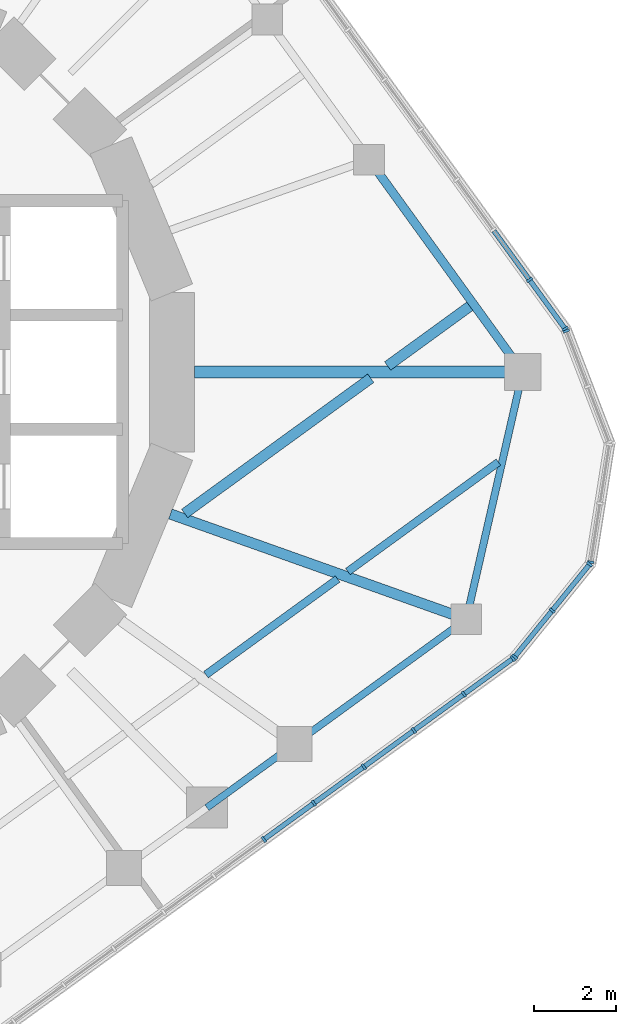
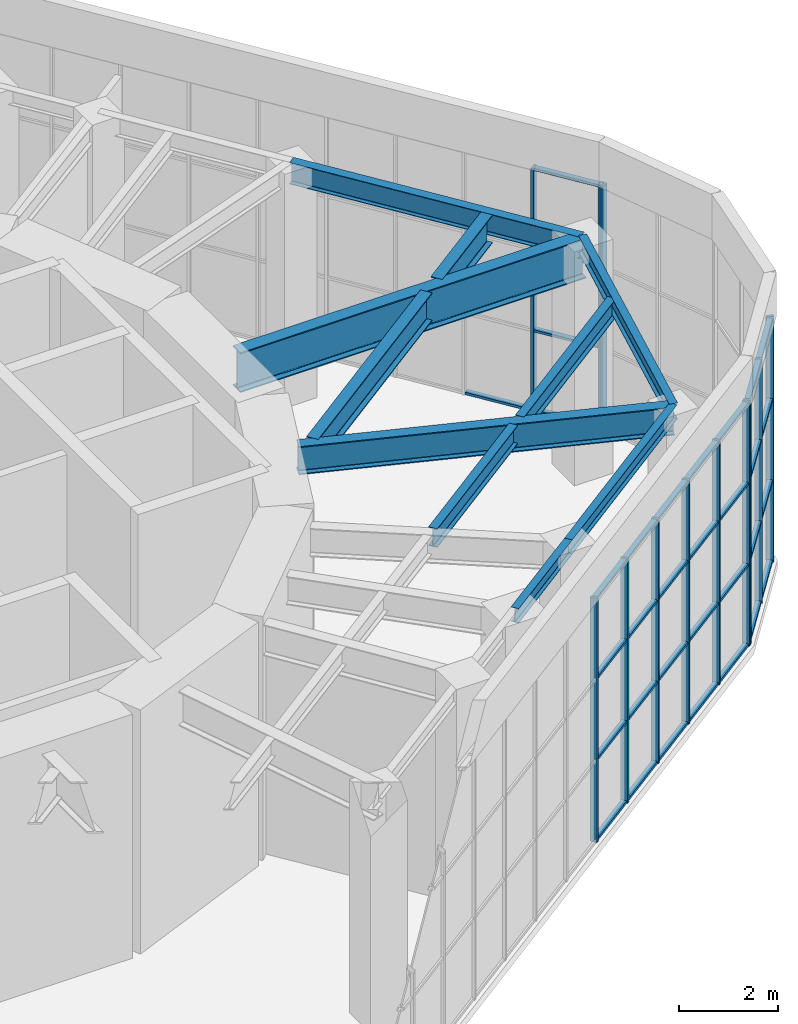
# One storey, part 7 of 17: 46 members, 10 beams, 5 elements without a shape of their own.
"""IFC4 building model written with IfcOpenShell, lengths in metres."""

from ifc_helpers import new_model, si_unit, direction, frame, origin, origin_2d, place, context, subcontext, project, spatial, rectangle, i_section, extrude, material, material_profile, profile_set, type_object, element, aggregate, save


model = new_model("IFC4")

# Units and contexts
model_context = context("Model", 3, precision=1e-05, world=origin(), true_north=direction((0.0, 1.0)))
body_context = subcontext(model_context, "Body", "Model", "MODEL_VIEW")
ifc_project = project(units=[si_unit("LENGTHUNIT", "METRE"), si_unit("AREAUNIT", "SQUARE_METRE"), si_unit("VOLUMEUNIT", "CUBIC_METRE"), si_unit("PLANEANGLEUNIT", "RADIAN"), si_unit("MASSUNIT", "GRAM", prefix="KILO")], contexts=[model_context])

# Site, building, storey
site_placement = place(None, origin())
site = spatial("IfcSite", under=ifc_project, at=site_placement, CompositionType="ELEMENT")
building_placement = place(site_placement, origin())
building = spatial("IfcBuilding", under=site, at=building_placement, Name="Nakasero Lantern House", CompositionType="ELEMENT")
storey_placement = place(building_placement, frame((0.0, 0.0, 304.39990234375)))
storey = spatial("IfcBuildingStorey", under=building, at=storey_placement, Name="L74", CompositionType="ELEMENT", Elevation=304.39990234375)

# Beams
ifc_material_1 = material(Name="Steel S355", Category="steel")
ifc_material_profile_1 = material_profile(ifc_material_1, i_section(OverallWidth=0.19140625, OverallDepth=0.4599609375, WebThickness=0.010009765625, FlangeThickness=0.01611328125, FilletRadius=0.01025390625, at=origin_2d()), Name="UB 457x191x82")
ifc_profile_set_1 = profile_set([ifc_material_profile_1], Name="Steel S355")
beam_type_1 = type_object("IfcBeamType", Name="Infill beam UB 457x191x82", PredefinedType="JOIST", material=ifc_profile_set_1)
beam_1_placement = place(storey_placement, frame((10.6416015625, -7.410400390625, 5.52001953125), z_axis=(0.809003397201, 0.587803966742, 0.0), x_axis=(-0.587803966742, 0.809003397201, 0.0)))
element("IfcBeam", 1, at=beam_1_placement, inside=storey, type_object=beam_type_1, Name="Infill beam ROOF 03.6", PredefinedType="JOIST", context=body_context, shape_type="SweptSolid", body=[
    extrude(i_section(OverallWidth=0.19140625, OverallDepth=0.4599609375, WebThickness=0.010009765625, FlangeThickness=0.01611328125, FilletRadius=0.01025390625, at=origin_2d()), origin(), (0.0, 0.0, 1.0), 3.98779296875),
])
beam_2_placement = place(storey_placement, frame((14.118408203125, -4.88427734375, 5.52001953125), z_axis=(0.809009310944, 0.587795827483, 0.0), x_axis=(-0.587795827483, 0.809009310944, 0.0)))
element("IfcBeam", 2, at=beam_2_placement, inside=storey, type_object=beam_type_1, Name="Infill beam ROOF 03.7", PredefinedType="JOIST", context=body_context, shape_type="SweptSolid", body=[
    extrude(i_section(OverallWidth=0.19140625, OverallDepth=0.4599609375, WebThickness=0.010009765625, FlangeThickness=0.01611328125, FilletRadius=0.01025390625, at=origin_2d()), origin(), (0.0, 0.0, 1.0), 4.55810546875),
])
ifc_material_2 = material(Name="Steel S355", Category="steel")
ifc_material_profile_2 = material_profile(ifc_material_2, i_section(OverallWidth=0.255859375, OverallDepth=0.69287109375, WebThickness=0.014404296875, FlangeThickness=0.023681640625, FilletRadius=0.01513671875, at=origin_2d()), Name="UB 686x254x170")
ifc_profile_set_2 = profile_set([ifc_material_profile_2], Name="Steel S355")
beam_type_2 = type_object("IfcBeamType", Name="Infill beam UB 686x254x170", PredefinedType="JOIST", material=ifc_profile_set_2)
beam_3_placement = place(storey_placement, frame((10.120361328125, -3.462646484375, 5.403564453125), z_axis=(0.809015104462, 0.587787853526, 0.0), x_axis=(-0.587787853526, 0.809015104462, 0.0)))
element("IfcBeam", 3, at=beam_3_placement, inside=storey, type_object=beam_type_2, Name="Infill beam ROOF 04.3", PredefinedType="JOIST", context=body_context, shape_type="SweptSolid", body=[
    extrude(i_section(OverallWidth=0.255859375, OverallDepth=0.69287109375, WebThickness=0.014404296875, FlangeThickness=0.023681640625, FilletRadius=0.01513671875, at=origin_2d()), origin(), (0.0, 0.0, 1.0), 5.635986328125),
])
beam_4_placement = place(storey_placement, frame((15.0927734375, 0.14990234375, 5.403564453125), z_axis=(0.809011863271, 0.587792314586, 0.0), x_axis=(-0.587792314586, 0.809011863271, 0.0)))
element("IfcBeam", 4, at=beam_4_placement, inside=storey, type_object=beam_type_2, Name="Infill beam ROOF 04.4", PredefinedType="JOIST", context=body_context, shape_type="SweptSolid", body=[
    extrude(i_section(OverallWidth=0.255859375, OverallDepth=0.69287109375, WebThickness=0.014404296875, FlangeThickness=0.023681640625, FilletRadius=0.01513671875, at=origin_2d()), origin(), (0.0, 0.0, 1.0), 2.487548828125),
])

# Curtain wall, members
ifc_material_3 = material(Name="Aluminium 6063-T6 and glass", Category="aluminium")
curtain_wall_type = type_object("IfcCurtainWallType", Name="Lantern glazing CW-4", PredefinedType="USERDEFINED", material=ifc_material_3)
curtain_wall_1_placement = place(storey_placement, origin())
curtain_wall_1 = element("IfcCurtainWall", 5, at=curtain_wall_1_placement, inside=storey, type_object=curtain_wall_type, Name="Curtain wall CW-4 L74", ObjectType="UNITISED CURTAIN WALL", PredefinedType="USERDEFINED")
ifc_material_4 = material(Name="Aluminium 6063-T6", Category="aluminium")
ifc_material_profile_3 = material_profile(ifc_material_4, rectangle(XDim=0.06005859375, YDim=0.159912109375, at=origin_2d()), Name="CW-4 mullion 60x160")
ifc_profile_set_3 = profile_set([ifc_material_profile_3], Name="Aluminium 6063-T6")
member_type_1 = type_object("IfcMemberType", Name="Mullion CW-4", PredefinedType="MULLION", material=ifc_profile_set_3)
member_1_placement = place(storey_placement, frame((19.4404296875, 1.05908203125, 0.0), z_axis=(0.0, 0.0, 1.0), x_axis=(-0.587785252292, 0.809016994375, 0.0)))
member_1 = element("IfcMember", 6, at=member_1_placement, type_object=member_type_1, Name="CW-4 mullion 1", PredefinedType="MULLION", context=body_context, shape_type="SweptSolid", body=[
    extrude(rectangle(XDim=0.06005859375, YDim=0.159912109375, at=origin_2d()), origin(), (0.0, 0.0, 1.0), 6.0),
])
member_2_placement = place(storey_placement, frame((18.56787109375, 2.259765625, 0.0), z_axis=(0.0, 0.0, 1.0), x_axis=(-0.587785252292, 0.809016994375, 0.0)))
member_2 = element("IfcMember", 7, at=member_2_placement, type_object=member_type_1, Name="CW-4 mullion 2", PredefinedType="MULLION", context=body_context, shape_type="SweptSolid", body=[
    extrude(rectangle(XDim=0.06005859375, YDim=0.159912109375, at=origin_2d()), origin(), (0.0, 0.0, 1.0), 6.0),
])

curtain_wall_2_placement = place(storey_placement, origin())
curtain_wall_2 = element("IfcCurtainWall", 8, at=curtain_wall_2_placement, inside=storey, type_object=curtain_wall_type, Name="Curtain wall CW-4 L74", ObjectType="UNITISED CURTAIN WALL", PredefinedType="USERDEFINED")
member_3_placement = place(storey_placement, frame((12.060546875, -11.447265625, 0.0), z_axis=(0.0, 0.0, 1.0), x_axis=(0.809016994375, 0.587785252292, 0.0)))
member_3 = element("IfcMember", 9, at=member_3_placement, type_object=member_type_1, Name="CW-4 mullion 10", PredefinedType="MULLION", context=body_context, shape_type="SweptSolid", body=[
    extrude(rectangle(XDim=0.06005859375, YDim=0.159912109375, at=origin_2d()), origin(), (0.0, 0.0, 1.0), 6.0),
])
member_4_placement = place(storey_placement, frame((13.28564453125, -10.55712890625, 0.0), z_axis=(0.0, 0.0, 1.0), x_axis=(0.809016994375, 0.587785252292, 0.0)))
member_4 = element("IfcMember", 10, at=member_4_placement, type_object=member_type_1, Name="CW-4 mullion 11", PredefinedType="MULLION", context=body_context, shape_type="SweptSolid", body=[
    extrude(rectangle(XDim=0.06005859375, YDim=0.159912109375, at=origin_2d()), origin(), (0.0, 0.0, 1.0), 6.0),
])
member_5_placement = place(storey_placement, frame((14.5107421875, -9.667236328125, 0.0), z_axis=(0.0, 0.0, 1.0), x_axis=(0.809016994375, 0.587785252292, 0.0)))
member_5 = element("IfcMember", 11, at=member_5_placement, type_object=member_type_1, Name="CW-4 mullion 12", PredefinedType="MULLION", context=body_context, shape_type="SweptSolid", body=[
    extrude(rectangle(XDim=0.06005859375, YDim=0.159912109375, at=origin_2d()), origin(), (0.0, 0.0, 1.0), 6.0),
])
member_6_placement = place(storey_placement, frame((15.735595703125, -8.777099609375, 0.0), z_axis=(0.0, 0.0, 1.0), x_axis=(0.809016994375, 0.587785252292, 0.0)))
member_6 = element("IfcMember", 12, at=member_6_placement, type_object=member_type_1, Name="CW-4 mullion 13", PredefinedType="MULLION", context=body_context, shape_type="SweptSolid", body=[
    extrude(rectangle(XDim=0.06005859375, YDim=0.159912109375, at=origin_2d()), origin(), (0.0, 0.0, 1.0), 6.0),
])
member_7_placement = place(storey_placement, frame((16.960693359375, -7.886962890625, 0.0), z_axis=(0.0, 0.0, 1.0), x_axis=(0.809016994375, 0.587785252292, 0.0)))
member_7 = element("IfcMember", 13, at=member_7_placement, type_object=member_type_1, Name="CW-4 mullion 14", PredefinedType="MULLION", context=body_context, shape_type="SweptSolid", body=[
    extrude(rectangle(XDim=0.06005859375, YDim=0.159912109375, at=origin_2d()), origin(), (0.0, 0.0, 1.0), 6.0),
])
member_8_placement = place(storey_placement, frame((18.16162109375, -7.0146484375, 0.0), z_axis=(0.0, 0.0, 1.0), x_axis=(0.809016994375, 0.587785252292, 0.0)))
member_8 = element("IfcMember", 14, at=member_8_placement, type_object=member_type_1, Name="CW-4 mullion 15", PredefinedType="MULLION", context=body_context, shape_type="SweptSolid", body=[
    extrude(rectangle(XDim=0.06005859375, YDim=0.159912109375, at=origin_2d()), origin(), (0.0, 0.0, 1.0), 6.0),
])

curtain_wall_3_placement = place(storey_placement, origin())
curtain_wall_3 = element("IfcCurtainWall", 15, at=curtain_wall_3_placement, inside=storey, type_object=curtain_wall_type, Name="Curtain wall CW-4 L74", ObjectType="UNITISED CURTAIN WALL", PredefinedType="USERDEFINED")
member_9_placement = place(storey_placement, frame((18.204833984375, -6.9736328125, 0.0), z_axis=(0.0, 0.0, 1.0), x_axis=(0.62932039105, 0.777145961457, 0.0)))
member_9 = element("IfcMember", 16, at=member_9_placement, type_object=member_type_1, Name="CW-4 mullion 1", PredefinedType="MULLION", context=body_context, shape_type="SweptSolid", body=[
    extrude(rectangle(XDim=0.06005859375, YDim=0.159912109375, at=origin_2d()), origin(), (0.0, 0.0, 1.0), 6.0),
])
member_10_placement = place(storey_placement, frame((19.122314453125, -5.84033203125, 0.0), z_axis=(0.0, 0.0, 1.0), x_axis=(0.62932039105, 0.777145961457, 0.0)))
member_10 = element("IfcMember", 17, at=member_10_placement, type_object=member_type_1, Name="CW-4 mullion 2", PredefinedType="MULLION", context=body_context, shape_type="SweptSolid", body=[
    extrude(rectangle(XDim=0.06005859375, YDim=0.159912109375, at=origin_2d()), origin(), (0.0, 0.0, 1.0), 6.0),
])
member_11_placement = place(storey_placement, frame((20.0400390625, -4.70703125, 0.0), z_axis=(0.0, 0.0, 1.0), x_axis=(0.62932039105, 0.777145961457, 0.0)))
member_11 = element("IfcMember", 18, at=member_11_placement, type_object=member_type_1, Name="CW-4 mullion 3", PredefinedType="MULLION", context=body_context, shape_type="SweptSolid", body=[
    extrude(rectangle(XDim=0.06005859375, YDim=0.159912109375, at=origin_2d()), origin(), (0.0, 0.0, 1.0), 6.0),
])

# Curtain wall, member
curtain_wall_4_placement = place(storey_placement, origin())
curtain_wall_4 = element("IfcCurtainWall", 19, at=curtain_wall_4_placement, inside=storey, type_object=curtain_wall_type, Name="Curtain wall CW-4 L74", ObjectType="UNITISED CURTAIN WALL", PredefinedType="USERDEFINED")
member_12_placement = place(storey_placement, frame((20.063720703125, -4.654052734375, 0.0), z_axis=(0.0, 0.0, 1.0), x_axis=(0.15643446504, 0.987688340595, 0.0)))
member_12 = element("IfcMember", 20, at=member_12_placement, type_object=member_type_1, Name="CW-4 mullion 1", PredefinedType="MULLION", context=body_context, shape_type="SweptSolid", body=[
    extrude(rectangle(XDim=0.06005859375, YDim=0.159912109375, at=origin_2d()), origin(), (0.0, 0.0, 1.0), 6.0),
])
aggregate(curtain_wall_4, [member_12])

curtain_wall_5_placement = place(storey_placement, origin())
curtain_wall_5 = element("IfcCurtainWall", 21, at=curtain_wall_5_placement, inside=storey, type_object=curtain_wall_type, Name="Curtain wall CW-4 L74", ObjectType="UNITISED CURTAIN WALL", PredefinedType="USERDEFINED")
member_13_placement = place(storey_placement, frame((19.46875, 1.006591796875, 0.0), z_axis=(0.0, 0.0, 1.0), x_axis=(-0.358367949545, 0.933580426497, 0.0)))
member_13 = element("IfcMember", 22, at=member_13_placement, type_object=member_type_1, Name="CW-4 mullion 3", PredefinedType="MULLION", context=body_context, shape_type="SweptSolid", body=[
    extrude(rectangle(XDim=0.06005859375, YDim=0.159912109375, at=origin_2d()), origin(), (0.0, 0.0, 1.0), 6.0),
])
aggregate(curtain_wall_5, [member_13])

# Beams
ifc_material_5 = material(Name="Steel S355", Category="steel")
ifc_material_profile_4 = material_profile(ifc_material_5, i_section(OverallWidth=0.300048828125, OverallDepth=0.97998046875, WebThickness=0.0166015625, FlangeThickness=0.02587890625, FilletRadius=0.030029296875, at=origin_2d()), Name="UB 1016x305x249")
ifc_profile_set_4 = profile_set([ifc_material_profile_4], Name="Steel S355")
beam_type_3 = type_object("IfcBeamType", Name="Primary beam UB 1016x305x249, span 6 to 9 m", PredefinedType="BEAM", material=ifc_profile_set_4)
beam_5_placement = place(storey_placement, frame((18.39990234375, 0.0, 5.260009765625), z_axis=(-1.0, 0.0, 0.0), x_axis=(0.0, -1.0, 0.0)))
element("IfcBeam", 23, at=beam_5_placement, inside=storey, type_object=beam_type_3, Name="Primary beam ROOF B7-C03", PredefinedType="BEAM", context=body_context, shape_type="SweptSolid", body=[
    extrude(i_section(OverallWidth=0.300048828125, OverallDepth=0.97998046875, WebThickness=0.0166015625, FlangeThickness=0.02587890625, FilletRadius=0.030029296875, at=origin_2d()), origin(), (0.0, 0.0, 1.0), 8.0419921875),
])
ifc_material_6 = material(Name="Steel S355", Category="steel")
ifc_material_profile_5 = material_profile(ifc_material_6, i_section(OverallWidth=0.255859375, OverallDepth=0.69287109375, WebThickness=0.014404296875, FlangeThickness=0.023681640625, FilletRadius=0.01513671875, at=origin_2d()), Name="UB 686x254x170")
ifc_profile_set_5 = profile_set([ifc_material_profile_5], Name="Steel S355")
beam_type_4 = type_object("IfcBeamType", Name="Primary beam UB 686x254x170, span 6 to 9 m", PredefinedType="BEAM", material=ifc_profile_set_5)
beam_6_placement = place(storey_placement, frame((17.02001953125, -6.051513671875, 5.403564453125), z_axis=(-0.942222036561, 0.334989005521, 0.0), x_axis=(-0.334989005521, -0.942222036561, 0.0)))
element("IfcBeam", 24, at=beam_6_placement, inside=storey, type_object=beam_type_4, Name="Primary beam ROOF B7-C02", PredefinedType="BEAM", context=body_context, shape_type="SweptSolid", body=[
    extrude(i_section(OverallWidth=0.255859375, OverallDepth=0.69287109375, WebThickness=0.014404296875, FlangeThickness=0.023681640625, FilletRadius=0.01513671875, at=origin_2d()), origin(), (0.0, 0.0, 1.0), 7.6923828125),
])
ifc_material_7 = material(Name="Steel S355", Category="steel")
ifc_material_profile_6 = material_profile(ifc_material_7, i_section(OverallWidth=0.17138671875, OverallDepth=0.35498046875, WebThickness=0.00732421875, FlangeThickness=0.011474609375, FilletRadius=0.01025390625, at=origin_2d()), Name="UB 356x171x51")
ifc_profile_set_6 = profile_set([ifc_material_profile_6], Name="Steel S355")
beam_type_5 = type_object("IfcBeamType", Name="Ring beam UB 356x171x51", PredefinedType="BEAM", material=ifc_profile_set_6)
beam_7_placement = place(storey_placement, frame((12.810791015625, -9.10986328125, 5.572509765625), z_axis=(0.809001814948, 0.587806144414, 0.0), x_axis=(-0.587806144414, 0.809001814948, 0.0)))
element("IfcBeam", 25, at=beam_7_placement, inside=storey, type_object=beam_type_5, Name="Ring beam ROOF B7-C01", PredefinedType="BEAM", context=body_context, shape_type="SweptSolid", body=[
    extrude(i_section(OverallWidth=0.17138671875, OverallDepth=0.35498046875, WebThickness=0.00732421875, FlangeThickness=0.011474609375, FilletRadius=0.01025390625, at=origin_2d()), origin(), (0.0, 0.0, 1.0), 5.202880859375),
])
beam_8_placement = place(storey_placement, frame((10.667236328125, -10.667236328125, 5.572509765625), z_axis=(0.809018895839, 0.587782635143, 0.0), x_axis=(-0.587782635143, 0.809018895839, 0.0)))
element("IfcBeam", 26, at=beam_8_placement, inside=storey, type_object=beam_type_5, Name="Ring beam ROOF B7-C24", PredefinedType="BEAM", context=body_context, shape_type="SweptSolid", body=[
    extrude(i_section(OverallWidth=0.17138671875, OverallDepth=0.35498046875, WebThickness=0.00732421875, FlangeThickness=0.011474609375, FilletRadius=0.01025390625, at=origin_2d()), origin(), (0.0, 0.0, 1.0), 2.649658203125),
])
ifc_material_8 = material(Name="Steel S355", Category="steel")
ifc_material_profile_7 = material_profile(ifc_material_8, i_section(OverallWidth=0.177978515625, OverallDepth=0.406494140625, WebThickness=0.0078125, FlangeThickness=0.0126953125, FilletRadius=0.01025390625, at=origin_2d()), Name="UB 406x178x60")
ifc_profile_set_7 = profile_set([ifc_material_profile_7], Name="Steel S355")
beam_type_6 = type_object("IfcBeamType", Name="Ring beam UB 406x178x60", PredefinedType="BEAM", material=ifc_profile_set_7)
beam_9_placement = place(storey_placement, frame((17.02001953125, -6.051513671875, 5.546875), z_axis=(0.222316387753, 0.974974575944, 0.0), x_axis=(-0.974974575944, 0.222316387753, 0.0)))
element("IfcBeam", 27, at=beam_9_placement, inside=storey, type_object=beam_type_6, Name="Ring beam ROOF B7-C02", PredefinedType="BEAM", context=body_context, shape_type="SweptSolid", body=[
    extrude(i_section(OverallWidth=0.177978515625, OverallDepth=0.406494140625, WebThickness=0.0078125, FlangeThickness=0.0126953125, FilletRadius=0.01025390625, at=origin_2d()), origin(), (0.0, 0.0, 1.0), 6.206787109375),
])
ifc_material_9 = material(Name="Steel S355", Category="steel")
ifc_material_profile_8 = material_profile(ifc_material_9, i_section(OverallWidth=0.208740234375, OverallDepth=0.5283203125, WebThickness=0.009521484375, FlangeThickness=0.01318359375, FilletRadius=0.0126953125, at=origin_2d()), Name="UB 533x210x82")
ifc_profile_set_8 = profile_set([ifc_material_profile_8], Name="Steel S355")
beam_type_7 = type_object("IfcBeamType", Name="Ring beam UB 533x210x82", PredefinedType="BEAM", material=ifc_profile_set_8)
beam_10_placement = place(storey_placement, frame((18.39990234375, 0.0, 5.48583984375), z_axis=(-0.58599287996, 0.810316200404, 0.0), x_axis=(-0.810316200404, -0.58599287996, 0.0)))
element("IfcBeam", 28, at=beam_10_placement, inside=storey, type_object=beam_type_7, Name="Ring beam ROOF B7-C03", PredefinedType="BEAM", context=body_context, shape_type="SweptSolid", body=[
    extrude(i_section(OverallWidth=0.208740234375, OverallDepth=0.5283203125, WebThickness=0.009521484375, FlangeThickness=0.01318359375, FilletRadius=0.0126953125, at=origin_2d()), origin(), (0.0, 0.0, 1.0), 6.42236328125),
])

# Member
ifc_material_10 = material(Name="Aluminium 6063-T6", Category="aluminium")
ifc_material_profile_9 = material_profile(ifc_material_10, rectangle(XDim=0.06005859375, YDim=0.1201171875, at=origin_2d()), Name="CW-4 transom 60x120")
ifc_profile_set_9 = profile_set([ifc_material_profile_9], Name="Aluminium 6063-T6")
member_type_2 = type_object("IfcMemberType", Name="Transom CW-4", PredefinedType="USERDEFINED", material=ifc_profile_set_9)
member_14_placement = place(storey_placement, frame((19.422607421875, 1.083251953125, 0.030029296875), z_axis=(-0.587753757296, 0.809039875893, 0.0), x_axis=(0.0, 0.0, 1.0)))
member_14 = element("IfcMember", 29, at=member_14_placement, type_object=member_type_2, Name="CW-4 transom 1.1", ObjectType="TRANSOM", PredefinedType="USERDEFINED", context=body_context, shape_type="SweptSolid", body=[
    extrude(rectangle(XDim=0.06005859375, YDim=0.1201171875, at=origin_2d()), origin(), (0.0, 0.0, 1.0), 1.42431640625),
])

member_15_placement = place(storey_placement, frame((19.422607421875, 1.083251953125, 2.0), z_axis=(-0.587753757296, 0.809039875893, 0.0), x_axis=(0.0, 0.0, 1.0)))
member_15 = element("IfcMember", 30, at=member_15_placement, type_object=member_type_2, Name="CW-4 transom 1.2", ObjectType="TRANSOM", PredefinedType="USERDEFINED", context=body_context, shape_type="SweptSolid", body=[
    extrude(rectangle(XDim=0.06005859375, YDim=0.1201171875, at=origin_2d()), origin(), (0.0, 0.0, 1.0), 1.42431640625),
])

member_16_placement = place(storey_placement, frame((19.422607421875, 1.083251953125, 4.0), z_axis=(-0.587753757296, 0.809039875893, 0.0), x_axis=(0.0, 0.0, 1.0)))
member_16 = element("IfcMember", 31, at=member_16_placement, type_object=member_type_2, Name="CW-4 transom 1.3", ObjectType="TRANSOM", PredefinedType="USERDEFINED", context=body_context, shape_type="SweptSolid", body=[
    extrude(rectangle(XDim=0.06005859375, YDim=0.1201171875, at=origin_2d()), origin(), (0.0, 0.0, 1.0), 1.42431640625),
])

member_17_placement = place(storey_placement, frame((19.422607421875, 1.083251953125, 5.97021484375), z_axis=(-0.587753757296, 0.809039875893, 0.0), x_axis=(0.0, 0.0, 1.0)))
member_17 = element("IfcMember", 32, at=member_17_placement, type_object=member_type_2, Name="CW-4 transom 1.4", ObjectType="TRANSOM", PredefinedType="USERDEFINED", context=body_context, shape_type="SweptSolid", body=[
    extrude(rectangle(XDim=0.06005859375, YDim=0.1201171875, at=origin_2d()), origin(), (0.0, 0.0, 1.0), 1.42431640625),
])

member_18_placement = place(storey_placement, frame((18.55029296875, 2.2841796875, 0.030029296875), z_axis=(-0.587762348068, 0.809033634773, 0.0), x_axis=(0.0, 0.0, 1.0)))
member_18 = element("IfcMember", 33, at=member_18_placement, type_object=member_type_2, Name="CW-4 transom 2.1", ObjectType="TRANSOM", PredefinedType="USERDEFINED", context=body_context, shape_type="SweptSolid", body=[
    extrude(rectangle(XDim=0.06005859375, YDim=0.1201171875, at=origin_2d()), origin(), (0.0, 0.0, 1.0), 1.4541015625),
])

aggregate(curtain_wall_1, [member_1, member_2, member_14, member_15, member_16, member_17, member_18])

member_19_placement = place(storey_placement, frame((12.084716796875, -11.4296875, 0.030029296875), z_axis=(0.809033634773, 0.587762348068, 0.0), x_axis=(0.0, 0.0, 1.0)))
member_19 = element("IfcMember", 34, at=member_19_placement, type_object=member_type_2, Name="CW-4 transom 10.1", ObjectType="TRANSOM", PredefinedType="USERDEFINED", context=body_context, shape_type="SweptSolid", body=[
    extrude(rectangle(XDim=0.06005859375, YDim=0.1201171875, at=origin_2d()), origin(), (0.0, 0.0, 1.0), 1.4541015625),
])

member_20_placement = place(storey_placement, frame((12.084716796875, -11.4296875, 2.0), z_axis=(0.809033634773, 0.587762348068, 0.0), x_axis=(0.0, 0.0, 1.0)))
member_20 = element("IfcMember", 35, at=member_20_placement, type_object=member_type_2, Name="CW-4 transom 10.2", ObjectType="TRANSOM", PredefinedType="USERDEFINED", context=body_context, shape_type="SweptSolid", body=[
    extrude(rectangle(XDim=0.06005859375, YDim=0.1201171875, at=origin_2d()), origin(), (0.0, 0.0, 1.0), 1.4541015625),
])

member_21_placement = place(storey_placement, frame((12.084716796875, -11.4296875, 4.0), z_axis=(0.809033634773, 0.587762348068, 0.0), x_axis=(0.0, 0.0, 1.0)))
member_21 = element("IfcMember", 36, at=member_21_placement, type_object=member_type_2, Name="CW-4 transom 10.3", ObjectType="TRANSOM", PredefinedType="USERDEFINED", context=body_context, shape_type="SweptSolid", body=[
    extrude(rectangle(XDim=0.06005859375, YDim=0.1201171875, at=origin_2d()), origin(), (0.0, 0.0, 1.0), 1.4541015625),
])

member_22_placement = place(storey_placement, frame((12.084716796875, -11.4296875, 5.97021484375), z_axis=(0.809033634773, 0.587762348068, 0.0), x_axis=(0.0, 0.0, 1.0)))
member_22 = element("IfcMember", 37, at=member_22_placement, type_object=member_type_2, Name="CW-4 transom 10.4", ObjectType="TRANSOM", PredefinedType="USERDEFINED", context=body_context, shape_type="SweptSolid", body=[
    extrude(rectangle(XDim=0.06005859375, YDim=0.1201171875, at=origin_2d()), origin(), (0.0, 0.0, 1.0), 1.4541015625),
])

member_23_placement = place(storey_placement, frame((13.309814453125, -10.53955078125, 0.030029296875), z_axis=(0.809033634773, 0.587762348068, 0.0), x_axis=(0.0, 0.0, 1.0)))
member_23 = element("IfcMember", 38, at=member_23_placement, type_object=member_type_2, Name="CW-4 transom 11.1", ObjectType="TRANSOM", PredefinedType="USERDEFINED", context=body_context, shape_type="SweptSolid", body=[
    extrude(rectangle(XDim=0.06005859375, YDim=0.1201171875, at=origin_2d()), origin(), (0.0, 0.0, 1.0), 1.4541015625),
])

member_24_placement = place(storey_placement, frame((13.309814453125, -10.53955078125, 2.0), z_axis=(0.809033634773, 0.587762348068, 0.0), x_axis=(0.0, 0.0, 1.0)))
member_24 = element("IfcMember", 39, at=member_24_placement, type_object=member_type_2, Name="CW-4 transom 11.2", ObjectType="TRANSOM", PredefinedType="USERDEFINED", context=body_context, shape_type="SweptSolid", body=[
    extrude(rectangle(XDim=0.06005859375, YDim=0.1201171875, at=origin_2d()), origin(), (0.0, 0.0, 1.0), 1.4541015625),
])

member_25_placement = place(storey_placement, frame((13.309814453125, -10.53955078125, 4.0), z_axis=(0.809033634773, 0.587762348068, 0.0), x_axis=(0.0, 0.0, 1.0)))
member_25 = element("IfcMember", 40, at=member_25_placement, type_object=member_type_2, Name="CW-4 transom 11.3", ObjectType="TRANSOM", PredefinedType="USERDEFINED", context=body_context, shape_type="SweptSolid", body=[
    extrude(rectangle(XDim=0.06005859375, YDim=0.1201171875, at=origin_2d()), origin(), (0.0, 0.0, 1.0), 1.4541015625),
])

member_26_placement = place(storey_placement, frame((13.309814453125, -10.53955078125, 5.97021484375), z_axis=(0.809033634773, 0.587762348068, 0.0), x_axis=(0.0, 0.0, 1.0)))
member_26 = element("IfcMember", 41, at=member_26_placement, type_object=member_type_2, Name="CW-4 transom 11.4", ObjectType="TRANSOM", PredefinedType="USERDEFINED", context=body_context, shape_type="SweptSolid", body=[
    extrude(rectangle(XDim=0.06005859375, YDim=0.1201171875, at=origin_2d()), origin(), (0.0, 0.0, 1.0), 1.4541015625),
])

member_27_placement = place(storey_placement, frame((14.534912109375, -9.6494140625, 0.030029296875), z_axis=(0.809033634773, 0.587762348068, 0.0), x_axis=(0.0, 0.0, 1.0)))
member_27 = element("IfcMember", 42, at=member_27_placement, type_object=member_type_2, Name="CW-4 transom 12.1", ObjectType="TRANSOM", PredefinedType="USERDEFINED", context=body_context, shape_type="SweptSolid", body=[
    extrude(rectangle(XDim=0.06005859375, YDim=0.1201171875, at=origin_2d()), origin(), (0.0, 0.0, 1.0), 1.4541015625),
])

member_28_placement = place(storey_placement, frame((14.534912109375, -9.6494140625, 2.0), z_axis=(0.809033634773, 0.587762348068, 0.0), x_axis=(0.0, 0.0, 1.0)))
member_28 = element("IfcMember", 43, at=member_28_placement, type_object=member_type_2, Name="CW-4 transom 12.2", ObjectType="TRANSOM", PredefinedType="USERDEFINED", context=body_context, shape_type="SweptSolid", body=[
    extrude(rectangle(XDim=0.06005859375, YDim=0.1201171875, at=origin_2d()), origin(), (0.0, 0.0, 1.0), 1.4541015625),
])

member_29_placement = place(storey_placement, frame((14.534912109375, -9.6494140625, 4.0), z_axis=(0.809033634773, 0.587762348068, 0.0), x_axis=(0.0, 0.0, 1.0)))
member_29 = element("IfcMember", 44, at=member_29_placement, type_object=member_type_2, Name="CW-4 transom 12.3", ObjectType="TRANSOM", PredefinedType="USERDEFINED", context=body_context, shape_type="SweptSolid", body=[
    extrude(rectangle(XDim=0.06005859375, YDim=0.1201171875, at=origin_2d()), origin(), (0.0, 0.0, 1.0), 1.4541015625),
])

member_30_placement = place(storey_placement, frame((14.534912109375, -9.6494140625, 5.97021484375), z_axis=(0.809033634773, 0.587762348068, 0.0), x_axis=(0.0, 0.0, 1.0)))
member_30 = element("IfcMember", 45, at=member_30_placement, type_object=member_type_2, Name="CW-4 transom 12.4", ObjectType="TRANSOM", PredefinedType="USERDEFINED", context=body_context, shape_type="SweptSolid", body=[
    extrude(rectangle(XDim=0.06005859375, YDim=0.1201171875, at=origin_2d()), origin(), (0.0, 0.0, 1.0), 1.4541015625),
])

member_31_placement = place(storey_placement, frame((15.760009765625, -8.759521484375, 0.030029296875), z_axis=(0.808953803009, 0.587872217916, 0.0), x_axis=(0.0, 0.0, 1.0)))
member_31 = element("IfcMember", 46, at=member_31_placement, type_object=member_type_2, Name="CW-4 transom 13.1", ObjectType="TRANSOM", PredefinedType="USERDEFINED", context=body_context, shape_type="SweptSolid", body=[
    extrude(rectangle(XDim=0.06005859375, YDim=0.1201171875, at=origin_2d()), origin(), (0.0, 0.0, 1.0), 1.454345703125),
])

member_32_placement = place(storey_placement, frame((15.760009765625, -8.759521484375, 2.0), z_axis=(0.808953803009, 0.587872217916, 0.0), x_axis=(0.0, 0.0, 1.0)))
member_32 = element("IfcMember", 47, at=member_32_placement, type_object=member_type_2, Name="CW-4 transom 13.2", ObjectType="TRANSOM", PredefinedType="USERDEFINED", context=body_context, shape_type="SweptSolid", body=[
    extrude(rectangle(XDim=0.06005859375, YDim=0.1201171875, at=origin_2d()), origin(), (0.0, 0.0, 1.0), 1.454345703125),
])

member_33_placement = place(storey_placement, frame((15.760009765625, -8.759521484375, 4.0), z_axis=(0.808953803009, 0.587872217916, 0.0), x_axis=(0.0, 0.0, 1.0)))
member_33 = element("IfcMember", 48, at=member_33_placement, type_object=member_type_2, Name="CW-4 transom 13.3", ObjectType="TRANSOM", PredefinedType="USERDEFINED", context=body_context, shape_type="SweptSolid", body=[
    extrude(rectangle(XDim=0.06005859375, YDim=0.1201171875, at=origin_2d()), origin(), (0.0, 0.0, 1.0), 1.454345703125),
])

member_34_placement = place(storey_placement, frame((15.760009765625, -8.759521484375, 5.97021484375), z_axis=(0.808953803009, 0.587872217916, 0.0), x_axis=(0.0, 0.0, 1.0)))
member_34 = element("IfcMember", 49, at=member_34_placement, type_object=member_type_2, Name="CW-4 transom 13.4", ObjectType="TRANSOM", PredefinedType="USERDEFINED", context=body_context, shape_type="SweptSolid", body=[
    extrude(rectangle(XDim=0.06005859375, YDim=0.1201171875, at=origin_2d()), origin(), (0.0, 0.0, 1.0), 1.454345703125),
])

member_35_placement = place(storey_placement, frame((16.985107421875, -7.869384765625, 0.030029296875), z_axis=(0.808980650343, 0.587835272309, 0.0), x_axis=(0.0, 0.0, 1.0)))
member_35 = element("IfcMember", 50, at=member_35_placement, type_object=member_type_2, Name="CW-4 transom 14.1", ObjectType="TRANSOM", PredefinedType="USERDEFINED", context=body_context, shape_type="SweptSolid", body=[
    extrude(rectangle(XDim=0.06005859375, YDim=0.1201171875, at=origin_2d()), origin(), (0.0, 0.0, 1.0), 1.424072265625),
])

member_36_placement = place(storey_placement, frame((16.985107421875, -7.869384765625, 2.0), z_axis=(0.808980650343, 0.587835272309, 0.0), x_axis=(0.0, 0.0, 1.0)))
member_36 = element("IfcMember", 51, at=member_36_placement, type_object=member_type_2, Name="CW-4 transom 14.2", ObjectType="TRANSOM", PredefinedType="USERDEFINED", context=body_context, shape_type="SweptSolid", body=[
    extrude(rectangle(XDim=0.06005859375, YDim=0.1201171875, at=origin_2d()), origin(), (0.0, 0.0, 1.0), 1.424072265625),
])

member_37_placement = place(storey_placement, frame((16.985107421875, -7.869384765625, 4.0), z_axis=(0.808980650343, 0.587835272309, 0.0), x_axis=(0.0, 0.0, 1.0)))
member_37 = element("IfcMember", 52, at=member_37_placement, type_object=member_type_2, Name="CW-4 transom 14.3", ObjectType="TRANSOM", PredefinedType="USERDEFINED", context=body_context, shape_type="SweptSolid", body=[
    extrude(rectangle(XDim=0.06005859375, YDim=0.1201171875, at=origin_2d()), origin(), (0.0, 0.0, 1.0), 1.424072265625),
])

member_38_placement = place(storey_placement, frame((16.985107421875, -7.869384765625, 5.97021484375), z_axis=(0.808980650343, 0.587835272309, 0.0), x_axis=(0.0, 0.0, 1.0)))
member_38 = element("IfcMember", 53, at=member_38_placement, type_object=member_type_2, Name="CW-4 transom 14.4", ObjectType="TRANSOM", PredefinedType="USERDEFINED", context=body_context, shape_type="SweptSolid", body=[
    extrude(rectangle(XDim=0.06005859375, YDim=0.1201171875, at=origin_2d()), origin(), (0.0, 0.0, 1.0), 1.424072265625),
])

aggregate(curtain_wall_2, [member_3, member_4, member_5, member_6, member_7, member_8, member_19, member_20, member_21, member_22, member_23, member_24, member_25, member_26, member_27, member_28, member_29, member_30, member_31, member_32, member_33, member_34, member_35, member_36, member_37, member_38])

member_39_placement = place(storey_placement, frame((18.2236328125, -6.9501953125, 0.030029296875), z_axis=(0.629369016646, 0.777106582707, 0.0), x_axis=(0.0, 0.0, 1.0)))
member_39 = element("IfcMember", 54, at=member_39_placement, type_object=member_type_2, Name="CW-4 transom 1.1", ObjectType="TRANSOM", PredefinedType="USERDEFINED", context=body_context, shape_type="SweptSolid", body=[
    extrude(rectangle(XDim=0.06005859375, YDim=0.1201171875, at=origin_2d()), origin(), (0.0, 0.0, 1.0), 1.39794921875),
])

member_40_placement = place(storey_placement, frame((18.2236328125, -6.9501953125, 2.0), z_axis=(0.629369016646, 0.777106582707, 0.0), x_axis=(0.0, 0.0, 1.0)))
member_40 = element("IfcMember", 55, at=member_40_placement, type_object=member_type_2, Name="CW-4 transom 1.2", ObjectType="TRANSOM", PredefinedType="USERDEFINED", context=body_context, shape_type="SweptSolid", body=[
    extrude(rectangle(XDim=0.06005859375, YDim=0.1201171875, at=origin_2d()), origin(), (0.0, 0.0, 1.0), 1.39794921875),
])

member_41_placement = place(storey_placement, frame((18.2236328125, -6.9501953125, 4.0), z_axis=(0.629369016646, 0.777106582707, 0.0), x_axis=(0.0, 0.0, 1.0)))
member_41 = element("IfcMember", 56, at=member_41_placement, type_object=member_type_2, Name="CW-4 transom 1.3", ObjectType="TRANSOM", PredefinedType="USERDEFINED", context=body_context, shape_type="SweptSolid", body=[
    extrude(rectangle(XDim=0.06005859375, YDim=0.1201171875, at=origin_2d()), origin(), (0.0, 0.0, 1.0), 1.39794921875),
])

member_42_placement = place(storey_placement, frame((18.2236328125, -6.9501953125, 5.97021484375), z_axis=(0.629369016646, 0.777106582707, 0.0), x_axis=(0.0, 0.0, 1.0)))
member_42 = element("IfcMember", 57, at=member_42_placement, type_object=member_type_2, Name="CW-4 transom 1.4", ObjectType="TRANSOM", PredefinedType="USERDEFINED", context=body_context, shape_type="SweptSolid", body=[
    extrude(rectangle(XDim=0.06005859375, YDim=0.1201171875, at=origin_2d()), origin(), (0.0, 0.0, 1.0), 1.39794921875),
])

member_43_placement = place(storey_placement, frame((19.141357421875, -5.817138671875, 0.030029296875), z_axis=(0.629283614868, 0.777175740781, 0.0), x_axis=(0.0, 0.0, 1.0)))
member_43 = element("IfcMember", 58, at=member_43_placement, type_object=member_type_2, Name="CW-4 transom 2.1", ObjectType="TRANSOM", PredefinedType="USERDEFINED", context=body_context, shape_type="SweptSolid", body=[
    extrude(rectangle(XDim=0.06005859375, YDim=0.1201171875, at=origin_2d()), origin(), (0.0, 0.0, 1.0), 1.398193359375),
])

member_44_placement = place(storey_placement, frame((19.141357421875, -5.817138671875, 2.0), z_axis=(0.629283614868, 0.777175740781, 0.0), x_axis=(0.0, 0.0, 1.0)))
member_44 = element("IfcMember", 59, at=member_44_placement, type_object=member_type_2, Name="CW-4 transom 2.2", ObjectType="TRANSOM", PredefinedType="USERDEFINED", context=body_context, shape_type="SweptSolid", body=[
    extrude(rectangle(XDim=0.06005859375, YDim=0.1201171875, at=origin_2d()), origin(), (0.0, 0.0, 1.0), 1.398193359375),
])

member_45_placement = place(storey_placement, frame((19.141357421875, -5.817138671875, 4.0), z_axis=(0.629283614868, 0.777175740781, 0.0), x_axis=(0.0, 0.0, 1.0)))
member_45 = element("IfcMember", 60, at=member_45_placement, type_object=member_type_2, Name="CW-4 transom 2.3", ObjectType="TRANSOM", PredefinedType="USERDEFINED", context=body_context, shape_type="SweptSolid", body=[
    extrude(rectangle(XDim=0.06005859375, YDim=0.1201171875, at=origin_2d()), origin(), (0.0, 0.0, 1.0), 1.398193359375),
])

member_46_placement = place(storey_placement, frame((19.141357421875, -5.817138671875, 5.97021484375), z_axis=(0.629283614868, 0.777175740781, 0.0), x_axis=(0.0, 0.0, 1.0)))
member_46 = element("IfcMember", 61, at=member_46_placement, type_object=member_type_2, Name="CW-4 transom 2.4", ObjectType="TRANSOM", PredefinedType="USERDEFINED", context=body_context, shape_type="SweptSolid", body=[
    extrude(rectangle(XDim=0.06005859375, YDim=0.1201171875, at=origin_2d()), origin(), (0.0, 0.0, 1.0), 1.398193359375),
])

aggregate(curtain_wall_3, [member_9, member_10, member_11, member_39, member_40, member_41, member_42, member_43, member_44, member_45, member_46])

save(model, "model.ifc")
